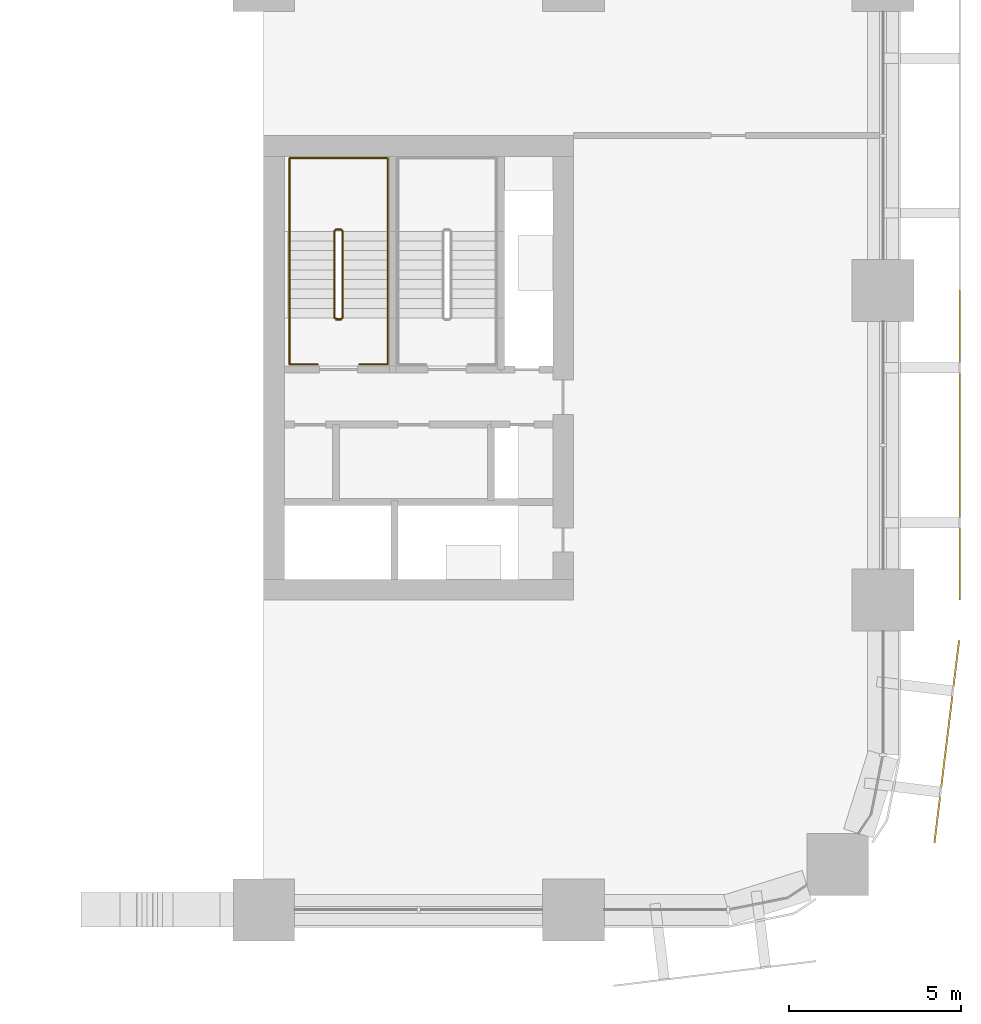
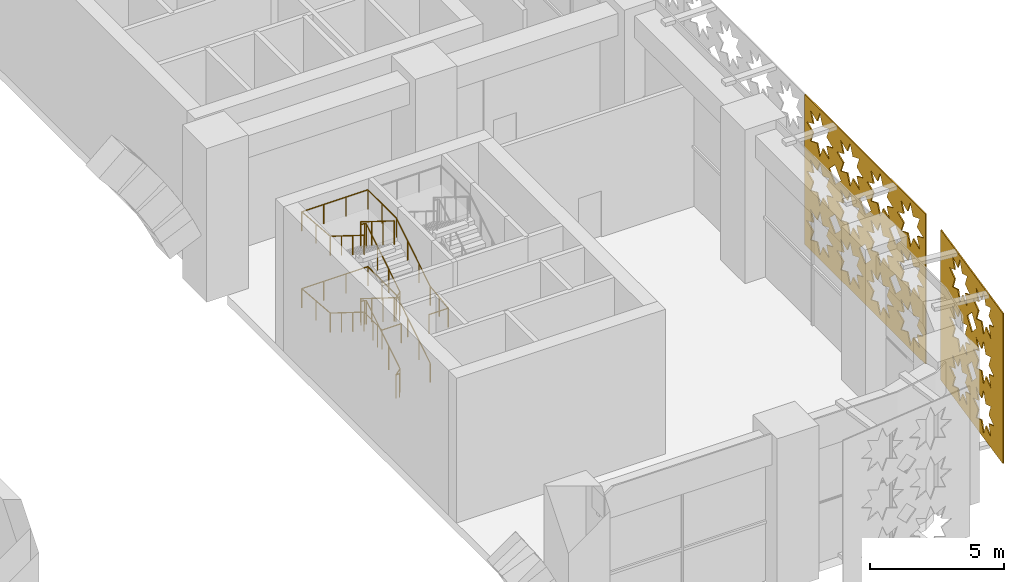
# One storey, part 35 of 42: 3 railings, 2 coverings.
"""IFC4 building model written with IfcOpenShell, lengths in metres."""

from ifc_helpers import new_model, si_unit, direction, frame, origin, origin_2d, place, context, subcontext, project, spatial, polyline, circle, outline, extrude, material, layer, layer_set, type_object, element, save


model = new_model("IFC4")

# Units and contexts
model_context = context("Model", 3, precision=1e-05, world=origin(), true_north=direction((0.0, 1.0)))
body_context = subcontext(model_context, "Body", "Model", "MODEL_VIEW")
ifc_project = project(units=[si_unit("LENGTHUNIT", "METRE"), si_unit("AREAUNIT", "SQUARE_METRE"), si_unit("VOLUMEUNIT", "CUBIC_METRE"), si_unit("PLANEANGLEUNIT", "RADIAN"), si_unit("MASSUNIT", "GRAM", prefix="KILO")], contexts=[model_context])

# Site, building, storey
site_placement = place(None, origin())
site = spatial("IfcSite", under=ifc_project, at=site_placement, CompositionType="ELEMENT")
building_placement = place(site_placement, origin())
building = spatial("IfcBuilding", under=site, at=building_placement, Name="Tessera Arch", CompositionType="ELEMENT")
storey_placement = place(building_placement, frame((0.0, 0.0, 14.0)))
storey = spatial("IfcBuildingStorey", under=building, at=storey_placement, Name="L02", CompositionType="ELEMENT", Elevation=14.0)

# Coverings
ifc_material_1 = material(Name="Anodised aluminium pale metal", Category="aluminium")
ifc_layer = layer(ifc_material_1, 0.050048828125)
ifc_layer_set = layer_set([ifc_layer], Name="Base lattice panel pale metal")
covering_type = type_object("IfcCoveringType", Name="Base lattice panel pale metal", PredefinedType="CLADDING", material=ifc_layer_set)
covering_1_placement = place(storey_placement, frame((56.199951171875, 9.0, 7.0), z_axis=(-1.0, 0.0, 0.0), x_axis=(0.0, 1.0, 0.0)))
element("IfcCovering", 1, at=covering_1_placement, inside=storey, type_object=covering_type, Name="Base lattice panel E54.0/0 L02", PredefinedType="CLADDING", context=body_context, shape_type="SweptSolid", body=[
    extrude(outline(polyline([(0.0, 0.0), (9.0, 0.0), (9.0, 6.840087890625), (0.0, 6.840087890625), (0.0, 0.0)]), holes=[polyline([(2.114990234375, 5.669921875), (1.6240234375, 5.462890625), (1.824951171875, 4.969970703125), (1.33203125, 5.1708984375), (1.125, 4.679931640625), (0.91796875, 5.1708984375), (0.425048828125, 4.969970703125), (0.6259765625, 5.462890625), (0.135009765625, 5.669921875), (0.6259765625, 5.876953125), (0.425048828125, 6.3701171875), (0.91796875, 6.1689453125), (1.125, 6.659912109375), (1.33203125, 6.1689453125), (1.824951171875, 6.3701171875), (1.6240234375, 5.876953125), (2.114990234375, 5.669921875)]), polyline([(2.114990234375, 3.419921875), (1.6240234375, 3.212890625), (1.824951171875, 2.719970703125), (1.33203125, 2.9208984375), (1.125, 2.429931640625), (0.91796875, 2.9208984375), (0.425048828125, 2.719970703125), (0.6259765625, 3.212890625), (0.135009765625, 3.419921875), (0.6259765625, 3.626953125), (0.425048828125, 4.1201171875), (0.91796875, 3.9189453125), (1.125, 4.409912109375), (1.33203125, 3.9189453125), (1.824951171875, 4.1201171875), (1.6240234375, 3.626953125), (2.114990234375, 3.419921875)]), polyline([(2.114990234375, 1.169921875), (1.6240234375, 0.962890625), (1.824951171875, 0.469970703125), (1.33203125, 0.6708984375), (1.125, 0.179931640625), (0.91796875, 0.6708984375), (0.425048828125, 0.469970703125), (0.6259765625, 0.962890625), (0.135009765625, 1.169921875), (0.6259765625, 1.376953125), (0.425048828125, 1.8701171875), (0.91796875, 1.6689453125), (1.125, 2.159912109375), (1.33203125, 1.6689453125), (1.824951171875, 1.8701171875), (1.6240234375, 1.376953125), (2.114990234375, 1.169921875)]), polyline([(4.364990234375, 5.669921875), (3.8740234375, 5.462890625), (4.074951171875, 4.969970703125), (3.58203125, 5.1708984375), (3.375, 4.679931640625), (3.16796875, 5.1708984375), (2.675048828125, 4.969970703125), (2.8759765625, 5.462890625), (2.385009765625, 5.669921875), (2.8759765625, 5.876953125), (2.675048828125, 6.3701171875), (3.16796875, 6.1689453125), (3.375, 6.659912109375), (3.58203125, 6.1689453125), (4.074951171875, 6.3701171875), (3.8740234375, 5.876953125), (4.364990234375, 5.669921875)]), polyline([(4.364990234375, 3.419921875), (3.8740234375, 3.212890625), (4.074951171875, 2.719970703125), (3.58203125, 2.9208984375), (3.375, 2.429931640625), (3.16796875, 2.9208984375), (2.675048828125, 2.719970703125), (2.8759765625, 3.212890625), (2.385009765625, 3.419921875), (2.8759765625, 3.626953125), (2.675048828125, 4.1201171875), (3.16796875, 3.9189453125), (3.375, 4.409912109375), (3.58203125, 3.9189453125), (4.074951171875, 4.1201171875), (3.8740234375, 3.626953125), (4.364990234375, 3.419921875)]), polyline([(4.364990234375, 1.169921875), (3.8740234375, 0.962890625), (4.074951171875, 0.469970703125), (3.58203125, 0.6708984375), (3.375, 0.179931640625), (3.16796875, 0.6708984375), (2.675048828125, 0.469970703125), (2.8759765625, 0.962890625), (2.385009765625, 1.169921875), (2.8759765625, 1.376953125), (2.675048828125, 1.8701171875), (3.16796875, 1.6689453125), (3.375, 2.159912109375), (3.58203125, 1.6689453125), (4.074951171875, 1.8701171875), (3.8740234375, 1.376953125), (4.364990234375, 1.169921875)]), polyline([(6.614990234375, 5.669921875), (6.1240234375, 5.462890625), (6.324951171875, 4.969970703125), (5.83203125, 5.1708984375), (5.625, 4.679931640625), (5.41796875, 5.1708984375), (4.925048828125, 4.969970703125), (5.1259765625, 5.462890625), (4.635009765625, 5.669921875), (5.1259765625, 5.876953125), (4.925048828125, 6.3701171875), (5.41796875, 6.1689453125), (5.625, 6.659912109375), (5.83203125, 6.1689453125), (6.324951171875, 6.3701171875), (6.1240234375, 5.876953125), (6.614990234375, 5.669921875)]), polyline([(6.614990234375, 3.419921875), (6.1240234375, 3.212890625), (6.324951171875, 2.719970703125), (5.83203125, 2.9208984375), (5.625, 2.429931640625), (5.41796875, 2.9208984375), (4.925048828125, 2.719970703125), (5.1259765625, 3.212890625), (4.635009765625, 3.419921875), (5.1259765625, 3.626953125), (4.925048828125, 4.1201171875), (5.41796875, 3.9189453125), (5.625, 4.409912109375), (5.83203125, 3.9189453125), (6.324951171875, 4.1201171875), (6.1240234375, 3.626953125), (6.614990234375, 3.419921875)]), polyline([(6.614990234375, 1.169921875), (6.1240234375, 0.962890625), (6.324951171875, 0.469970703125), (5.83203125, 0.6708984375), (5.625, 0.179931640625), (5.41796875, 0.6708984375), (4.925048828125, 0.469970703125), (5.1259765625, 0.962890625), (4.635009765625, 1.169921875), (5.1259765625, 1.376953125), (4.925048828125, 1.8701171875), (5.41796875, 1.6689453125), (5.625, 2.159912109375), (5.83203125, 1.6689453125), (6.324951171875, 1.8701171875), (6.1240234375, 1.376953125), (6.614990234375, 1.169921875)]), polyline([(8.864990234375, 5.669921875), (8.3740234375, 5.462890625), (8.574951171875, 4.969970703125), (8.08203125, 5.1708984375), (7.875, 4.679931640625), (7.66796875, 5.1708984375), (7.175048828125, 4.969970703125), (7.3759765625, 5.462890625), (6.885009765625, 5.669921875), (7.3759765625, 5.876953125), (7.175048828125, 6.3701171875), (7.66796875, 6.1689453125), (7.875, 6.659912109375), (8.08203125, 6.1689453125), (8.574951171875, 6.3701171875), (8.3740234375, 5.876953125), (8.864990234375, 5.669921875)]), polyline([(8.864990234375, 3.419921875), (8.3740234375, 3.212890625), (8.574951171875, 2.719970703125), (8.08203125, 2.9208984375), (7.875, 2.429931640625), (7.66796875, 2.9208984375), (7.175048828125, 2.719970703125), (7.3759765625, 3.212890625), (6.885009765625, 3.419921875), (7.3759765625, 3.626953125), (7.175048828125, 4.1201171875), (7.66796875, 3.9189453125), (7.875, 4.409912109375), (8.08203125, 3.9189453125), (8.574951171875, 4.1201171875), (8.3740234375, 3.626953125), (8.864990234375, 3.419921875)]), polyline([(8.864990234375, 1.169921875), (8.3740234375, 0.962890625), (8.574951171875, 0.469970703125), (8.08203125, 0.6708984375), (7.875, 0.179931640625), (7.66796875, 0.6708984375), (7.175048828125, 0.469970703125), (7.3759765625, 0.962890625), (6.885009765625, 1.169921875), (7.3759765625, 1.376953125), (7.175048828125, 1.8701171875), (7.66796875, 1.6689453125), (7.875, 2.159912109375), (8.08203125, 1.6689453125), (8.574951171875, 1.8701171875), (8.3740234375, 1.376953125), (8.864990234375, 1.169921875)]), polyline([(2.699951171875, 4.544921875), (2.25, 4.094970703125), (1.800048828125, 4.544921875), (2.25, 4.9951171875), (2.699951171875, 4.544921875)]), polyline([(2.699951171875, 2.294921875), (2.25, 1.844970703125), (1.800048828125, 2.294921875), (2.25, 2.7451171875), (2.699951171875, 2.294921875)]), polyline([(4.949951171875, 4.544921875), (4.5, 4.094970703125), (4.050048828125, 4.544921875), (4.5, 4.9951171875), (4.949951171875, 4.544921875)]), polyline([(4.949951171875, 2.294921875), (4.5, 1.844970703125), (4.050048828125, 2.294921875), (4.5, 2.7451171875), (4.949951171875, 2.294921875)]), polyline([(7.199951171875, 4.544921875), (6.75, 4.094970703125), (6.300048828125, 4.544921875), (6.75, 4.9951171875), (7.199951171875, 4.544921875)]), polyline([(7.199951171875, 2.294921875), (6.75, 1.844970703125), (6.300048828125, 2.294921875), (6.75, 2.7451171875), (7.199951171875, 2.294921875)])]), origin(), (0.0, 0.0, -1.0), 0.050048828125),
])
covering_2_placement = place(storey_placement, frame((55.467041015625, 1.951904296875, 7.0), z_axis=(-0.992656620686, 0.120966249049, 0.0), x_axis=(0.120966249049, 0.992656620686, 0.0)))
element("IfcCovering", 2, at=covering_2_placement, inside=storey, type_object=covering_type, Name="Base lattice panel E54.0/5 L02", PredefinedType="CLADDING", context=body_context, shape_type="SweptSolid", body=[
    extrude(outline(polyline([(0.0, 0.0), (5.925593962252626, 0.0), (5.925593962252626, 6.840087890625), (0.0, 6.840087890625), (0.0, 0.0)]), holes=[polyline([(2.8278905125881417, 5.669921875), (2.336987823767969, 5.462890625), (2.5379392602926423, 4.969970703125), (2.0440693322277617, 5.1708984375), (1.8379695261883193, 4.679931640625), (1.6308707961420916, 5.1708984375), (1.1379997920839962, 4.969970703125), (1.3389512286086689, 5.462890625), (0.84801900701285, 5.669921875), (1.3389512286086689, 5.876953125), (1.1379997920839962, 6.3701171875), (1.6308707961420916, 6.1689453125), (1.8379695261883193, 6.659912109375), (2.0440693322277617, 6.1689453125), (2.5379392602926423, 6.3701171875), (2.336987823767969, 5.876953125), (2.8278905125881417, 5.669921875)]), polyline([(2.8278905125881417, 3.419921875), (2.336987823767969, 3.212890625), (2.5379392602926423, 2.719970703125), (2.0440693322277617, 2.9208984375), (1.8379695261883193, 2.429931640625), (1.6308707961420916, 2.9208984375), (1.1379997920839962, 2.719970703125), (1.3389512286086689, 3.212890625), (0.84801900701285, 3.419921875), (1.3389512286086689, 3.626953125), (1.1379997920839962, 4.1201171875), (1.6308707961420916, 3.9189453125), (1.8379695261883193, 4.409912109375), (2.0440693322277617, 3.9189453125), (2.5379392602926423, 4.1201171875), (2.336987823767969, 3.626953125), (2.8278905125881417, 3.419921875)]), polyline([(2.8278905125881417, 1.169921875), (2.336987823767969, 0.962890625), (2.5379392602926423, 0.469970703125), (2.0440693322277617, 0.6708984375), (1.8379695261883193, 0.179931640625), (1.6308707961420916, 0.6708984375), (1.1379997920839962, 0.469970703125), (1.3389512286086689, 0.962890625), (0.84801900701285, 1.169921875), (1.3389512286086689, 1.376953125), (1.1379997920839962, 1.8701171875), (1.6308707961420916, 1.6689453125), (1.8379695261883193, 2.159912109375), (2.0440693322277617, 1.6689453125), (2.5379392602926423, 1.8701171875), (2.336987823767969, 1.376953125), (2.8278905125881417, 1.169921875)]), polyline([(5.078059650855345, 5.669921875), (4.586914614227389, 5.462890625), (4.788108398559846, 4.969970703125), (4.293996122687181, 5.1708984375), (4.088138664455523, 4.679931640625), (3.8810399344092956, 5.1708984375), (3.3879265825434155, 4.969970703125), (3.5890908341002263, 5.462890625), (3.0979457974722693, 5.669921875), (3.5890908341002263, 5.876953125), (3.3879265825434155, 6.3701171875), (3.8810399344092956, 6.1689453125), (4.088138664455523, 6.659912109375), (4.293996122687181, 6.1689453125), (4.788108398559846, 6.3701171875), (4.586914614227389, 5.876953125), (5.078059650855345, 5.669921875)]), polyline([(5.078059650855345, 3.419921875), (4.586914614227389, 3.212890625), (4.788108398559846, 2.719970703125), (4.293996122687181, 2.9208984375), (4.088138664455523, 2.429931640625), (3.8810399344092956, 2.9208984375), (3.3879265825434155, 2.719970703125), (3.5890908341002263, 3.212890625), (3.0979457974722693, 3.419921875), (3.5890908341002263, 3.626953125), (3.3879265825434155, 4.1201171875), (3.8810399344092956, 3.9189453125), (4.088138664455523, 4.409912109375), (4.293996122687181, 3.9189453125), (4.788108398559846, 4.1201171875), (4.586914614227389, 3.626953125), (5.078059650855345, 3.419921875)]), polyline([(5.078059650855345, 1.169921875), (4.586914614227389, 0.962890625), (4.788108398559846, 0.469970703125), (4.293996122687181, 0.6708984375), (4.088138664455523, 0.179931640625), (3.8810399344092956, 0.6708984375), (3.3879265825434155, 0.469970703125), (3.5890908341002263, 0.962890625), (3.0979457974722693, 1.169921875), (3.5890908341002263, 1.376953125), (3.3879265825434155, 1.8701171875), (3.8810399344092956, 1.6689453125), (4.088138664455523, 2.159912109375), (4.293996122687181, 1.6689453125), (4.788108398559846, 1.8701171875), (4.586914614227389, 1.376953125), (5.078059650855345, 1.169921875)]), polyline([(3.4130004522452033, 4.544921875), (2.96316050283799, 4.094970703125), (2.5130782056229926, 4.544921875), (2.96316050283799, 4.9951171875), (3.4130004522452033, 4.544921875)]), polyline([(3.4130004522452033, 2.294921875), (2.96316050283799, 1.844970703125), (2.5130782056229926, 2.294921875), (2.96316050283799, 2.7451171875), (3.4130004522452033, 2.294921875)])]), origin(), (0.0, 0.0, -1.0), 0.050048828125),
])

# Railings
ifc_material_2 = material(Name="Painted steel balustrade", Category="steel")
railing_type_1 = type_object("IfcRailingType", Name="Stair guard 1100", PredefinedType="GUARDRAIL", material=ifc_material_2)
railing_1_placement = place(storey_placement, frame((38.25, 17.14990234375, 0.0)))
element("IfcRailing", 3, at=railing_1_placement, inside=storey, type_object=railing_type_1, Name="L02 S3a stair guard 1", PredefinedType="GUARDRAIL", context=body_context, shape_type="SweptSolid", body=[
    extrude(circle(Radius=0.02392578125, at=origin_2d()), frame((0.00390625, 0.0, 1.076171875), z_axis=(-1.0, 0.0, 0.0), x_axis=(0.0, -1.0, 0.0)), (0.0, 0.0, 1.0), 0.157958984375),
    extrude(circle(Radius=0.02392578125, at=origin_2d()), frame((-0.15283203125, -0.000732421875, 1.073486328125), z_axis=(0.739407315901, 0.185077533284, 0.647319957877), x_axis=(-0.242814311512, 0.970072785993, 0.0)), (0.0, 0.0, 1.0), 0.2783203125),
    extrude(circle(Radius=0.02392578125, at=origin_2d()), frame((0.050048828125, 0.046630859375, 1.2490234375), z_axis=(0.0, 0.848007534815, 0.529984170421), x_axis=(-1.0, 0.0, 0.0)), (0.0, 0.0, 1.0), 2.979736328125),
    extrude(circle(Radius=0.02392578125, at=origin_2d()), frame((0.052978515625, 2.567138671875, 2.826171875), z_axis=(-0.707106781187, 0.707106781187, 0.0), x_axis=(-0.707106781187, -0.707106781187, 0.0)), (0.0, 0.0, 1.0), 0.078857421875),
    extrude(circle(Radius=0.02392578125, at=origin_2d()), frame((0.00390625, 2.6201171875, 2.826171875), z_axis=(-1.0, 0.0, 0.0), x_axis=(0.0, -1.0, 0.0)), (0.0, 0.0, 1.0), 0.157958984375),
    extrude(circle(Radius=0.02392578125, at=origin_2d()), frame((-0.14892578125, 2.62109375, 2.822265625), z_axis=(-0.265065253269, -0.265065253269, 0.927081885822), x_axis=(0.707106781187, -0.707106781187, 0.0)), (0.0, 0.0, 1.0), 0.19677734375),
    extrude(circle(Radius=0.02392578125, at=origin_2d()), frame((-0.199951171875, 2.573486328125, 2.9990234375), z_axis=(0.0, -0.848007534815, 0.529984170421), x_axis=(1.0, 0.0, 0.0)), (0.0, 0.0, 1.0), 2.979736328125),
    extrude(circle(Radius=0.02392578125, at=origin_2d()), frame((-0.203857421875, 0.051025390625, 4.576171875), z_axis=(0.970072785993, -0.242814311512, 0.0), x_axis=(0.242814311512, 0.970072785993, 0.0)), (0.0, 0.0, 1.0), 0.214111328125),
    extrude(circle(Radius=0.02392578125, at=origin_2d()), frame((0.00390625, 0.0, 4.576171875), z_axis=(-1.0, 0.0, 0.0), x_axis=(0.0, -1.0, 0.0)), (0.0, 0.0, 1.0), 0.157958984375),
    extrude(circle(Radius=0.02392578125, at=origin_2d()), frame((-0.15283203125, -0.000732421875, 4.573486328125), z_axis=(0.739407315901, 0.185077533284, 0.647319957877), x_axis=(-0.242814311512, 0.970072785993, 0.0)), (0.0, 0.0, 1.0), 0.2783203125),
    extrude(circle(Radius=0.02392578125, at=origin_2d()), frame((0.050048828125, 0.046630859375, 4.7490234375), z_axis=(0.0, 0.848007534815, 0.529984170421), x_axis=(-1.0, 0.0, 0.0)), (0.0, 0.0, 1.0), 2.979736328125),
    extrude(circle(Radius=0.02392578125, at=origin_2d()), frame((0.052978515625, 2.567138671875, 6.326171875), z_axis=(-0.707106781187, 0.707106781187, 0.0), x_axis=(-0.707106781187, -0.707106781187, 0.0)), (0.0, 0.0, 1.0), 0.078857421875),
    extrude(circle(Radius=0.02392578125, at=origin_2d()), frame((0.00390625, 2.6201171875, 6.326171875), z_axis=(-1.0, 0.0, 0.0), x_axis=(0.0, -1.0, 0.0)), (0.0, 0.0, 1.0), 0.157958984375),
    extrude(circle(Radius=0.02392578125, at=origin_2d()), frame((-0.14892578125, 2.62109375, 6.322265625), z_axis=(-0.265065253269, -0.265065253269, 0.927081885822), x_axis=(0.707106781187, -0.707106781187, 0.0)), (0.0, 0.0, 1.0), 0.19677734375),
    extrude(circle(Radius=0.02392578125, at=origin_2d()), frame((-0.199951171875, 2.573486328125, 6.4990234375), z_axis=(0.0, -0.848007534815, 0.529984170421), x_axis=(1.0, 0.0, 0.0)), (0.0, 0.0, 1.0), 2.979736328125),
    extrude(circle(Radius=0.02099609375, at=origin_2d()), origin(), (0.0, 0.0, 1.0), 1.06396484375),
    extrude(circle(Radius=0.02099609375, at=origin_2d()), frame((-0.14990234375, 0.0, 0.0)), (0.0, 0.0, 1.0), 1.06396484375),
    extrude(circle(Radius=0.02099609375, at=origin_2d()), frame((0.050048828125, 0.050048828125, 0.175048828125)), (0.0, 0.0, 1.0), 1.06396484375),
    extrude(circle(Radius=0.02099609375, at=origin_2d()), frame((0.050048828125, 0.89013671875, 0.699951171875)), (0.0, 0.0, 1.0), 1.06396484375),
    extrude(circle(Radius=0.02099609375, at=origin_2d()), frame((0.050048828125, 1.72998046875, 1.22509765625)), (0.0, 0.0, 1.0), 1.06396484375),
    extrude(circle(Radius=0.02099609375, at=origin_2d()), frame((0.050048828125, 2.570068359375, 1.75)), (0.0, 0.0, 1.0), 1.06396484375),
    extrude(circle(Radius=0.02099609375, at=origin_2d()), frame((0.0, 2.6201171875, 1.75)), (0.0, 0.0, 1.0), 1.06396484375),
    extrude(circle(Radius=0.02099609375, at=origin_2d()), frame((-0.14990234375, 2.6201171875, 1.75)), (0.0, 0.0, 1.0), 1.06396484375),
    extrude(circle(Radius=0.02099609375, at=origin_2d()), frame((-0.199951171875, 2.570068359375, 1.925048828125)), (0.0, 0.0, 1.0), 1.06396484375),
    extrude(circle(Radius=0.02099609375, at=origin_2d()), frame((-0.199951171875, 1.72998046875, 2.449951171875)), (0.0, 0.0, 1.0), 1.06396484375),
    extrude(circle(Radius=0.02099609375, at=origin_2d()), frame((-0.199951171875, 0.89013671875, 2.97509765625)), (0.0, 0.0, 1.0), 1.06396484375),
    extrude(circle(Radius=0.02099609375, at=origin_2d()), frame((-0.199951171875, 0.050048828125, 3.5)), (0.0, 0.0, 1.0), 1.06396484375),
    extrude(circle(Radius=0.02099609375, at=origin_2d()), frame((0.0, 0.0, 3.5)), (0.0, 0.0, 1.0), 1.06396484375),
    extrude(circle(Radius=0.02099609375, at=origin_2d()), frame((-0.14990234375, 0.0, 3.5)), (0.0, 0.0, 1.0), 1.06396484375),
    extrude(circle(Radius=0.02099609375, at=origin_2d()), frame((0.050048828125, 0.050048828125, 3.675048828125)), (0.0, 0.0, 1.0), 1.06396484375),
    extrude(circle(Radius=0.02099609375, at=origin_2d()), frame((0.050048828125, 0.89013671875, 4.199951171875)), (0.0, 0.0, 1.0), 1.06396484375),
    extrude(circle(Radius=0.02099609375, at=origin_2d()), frame((0.050048828125, 1.72998046875, 4.72509765625)), (0.0, 0.0, 1.0), 1.06396484375),
    extrude(circle(Radius=0.02099609375, at=origin_2d()), frame((0.050048828125, 2.570068359375, 5.25)), (0.0, 0.0, 1.0), 1.06396484375),
    extrude(circle(Radius=0.02099609375, at=origin_2d()), frame((0.0, 2.6201171875, 5.25)), (0.0, 0.0, 1.0), 1.06396484375),
    extrude(circle(Radius=0.02099609375, at=origin_2d()), frame((-0.14990234375, 2.6201171875, 5.25)), (0.0, 0.0, 1.0), 1.06396484375),
    extrude(circle(Radius=0.02099609375, at=origin_2d()), frame((-0.199951171875, 2.570068359375, 5.425048828125)), (0.0, 0.0, 1.0), 1.06396484375),
    extrude(circle(Radius=0.02099609375, at=origin_2d()), frame((-0.199951171875, 1.72998046875, 5.949951171875)), (0.0, 0.0, 1.0), 1.06396484375),
    extrude(circle(Radius=0.02099609375, at=origin_2d()), frame((-0.199951171875, 0.89013671875, 6.47509765625)), (0.0, 0.0, 1.0), 1.06396484375),
    extrude(circle(Radius=0.02099609375, at=origin_2d()), frame((-0.199951171875, 0.050048828125, 7.0)), (0.0, 0.0, 1.0), 1.06396484375),
])
ifc_material_3 = material(Name="Painted steel handrail", Category="steel")
railing_type_2 = type_object("IfcRailingType", Name="Stair handrail 900", PredefinedType="HANDRAIL", material=ifc_material_3)
railing_2_placement = place(storey_placement, frame((39.60009765625, 17.199951171875, 0.175048828125)))
element("IfcRailing", 4, at=railing_2_placement, inside=storey, type_object=railing_type_2, Name="L02 S3a stair handrail", PredefinedType="HANDRAIL", context=body_context, shape_type="SweptSolid", body=[
    extrude(circle(Radius=0.02392578125, at=origin_2d()), frame((0.0, -0.00341796875, 0.873779296875), z_axis=(0.0, 0.848007534815, 0.529984170421), x_axis=(-1.0, 0.0, 0.0)), (0.0, 0.0, 1.0), 2.979736328125),
    extrude(circle(Radius=0.02392578125, at=origin_2d()), frame((0.0, 2.51611328125, 2.45068359375), z_axis=(0.0, 1.0, 0.0), x_axis=(-1.0, 0.0, 0.0)), (0.0, 0.0, 1.0), 2.13818359375),
    extrude(circle(Radius=0.02392578125, at=origin_2d()), frame((0.00390625, 4.650146484375, 2.45068359375), z_axis=(-1.0, 0.0, 0.0), x_axis=(0.0, -1.0, 0.0)), (0.0, 0.0, 1.0), 2.858154296875),
    extrude(circle(Radius=0.02392578125, at=origin_2d()), frame((-2.85009765625, 4.654052734375, 2.450439453125), z_axis=(0.0, -0.996640423177, 0.0819015683), x_axis=(1.0, 0.0, 0.0)), (0.0, 0.0, 1.0), 2.145263671875),
    extrude(circle(Radius=0.02392578125, at=origin_2d()), frame((-2.85009765625, 2.5234375, 2.623779296875), z_axis=(0.0, -0.848007534815, 0.529984170421), x_axis=(1.0, 0.0, 0.0)), (0.0, 0.0, 1.0), 2.979736328125),
    extrude(circle(Radius=0.02392578125, at=origin_2d()), frame((-2.85009765625, 0.00390625, 4.20068359375), z_axis=(0.0, -1.0, 0.0), x_axis=(1.0, 0.0, 0.0)), (0.0, 0.0, 1.0), 1.35791015625),
    extrude(circle(Radius=0.02392578125, at=origin_2d()), frame((-2.85400390625, -1.349853515625, 4.20068359375), z_axis=(1.0, 0.0, 0.0), x_axis=(0.0, 1.0, 0.0)), (0.0, 0.0, 1.0), 0.8330078125),
    extrude(circle(Radius=0.02099609375, at=origin_2d()), origin(), (0.0, 0.0, 1.0), 0.86376953125),
    extrude(circle(Radius=0.02099609375, at=origin_2d()), frame((0.0, 0.840087890625, 0.52490234375)), (0.0, 0.0, 1.0), 0.86376953125),
    extrude(circle(Radius=0.02099609375, at=origin_2d()), frame((0.0, 1.679931640625, 1.050048828125)), (0.0, 0.0, 1.0), 0.86376953125),
    extrude(circle(Radius=0.02099609375, at=origin_2d()), frame((0.0, 2.52001953125, 1.574951171875)), (0.0, 0.0, 1.0), 0.86376953125),
    extrude(circle(Radius=0.02099609375, at=origin_2d()), frame((0.0, 3.5849609375, 1.574951171875)), (0.0, 0.0, 1.0), 0.86376953125),
    extrude(circle(Radius=0.02099609375, at=origin_2d()), frame((0.0, 4.650146484375, 1.574951171875)), (0.0, 0.0, 1.0), 0.86376953125),
    extrude(circle(Radius=0.02099609375, at=origin_2d()), frame((-0.949951171875, 4.650146484375, 1.574951171875)), (0.0, 0.0, 1.0), 0.86376953125),
    extrude(circle(Radius=0.02099609375, at=origin_2d()), frame((-1.900146484375, 4.650146484375, 1.574951171875)), (0.0, 0.0, 1.0), 0.86376953125),
    extrude(circle(Radius=0.02099609375, at=origin_2d()), frame((-2.85009765625, 4.650146484375, 1.574951171875)), (0.0, 0.0, 1.0), 0.86376953125),
    extrude(circle(Radius=0.02099609375, at=origin_2d()), frame((-2.85009765625, 3.5849609375, 1.66259765625)), (0.0, 0.0, 1.0), 0.86376953125),
    extrude(circle(Radius=0.02099609375, at=origin_2d()), frame((-2.85009765625, 2.52001953125, 1.75)), (0.0, 0.0, 1.0), 0.86376953125),
    extrude(circle(Radius=0.02099609375, at=origin_2d()), frame((-2.85009765625, 1.679931640625, 2.27490234375)), (0.0, 0.0, 1.0), 0.86376953125),
    extrude(circle(Radius=0.02099609375, at=origin_2d()), frame((-2.85009765625, 0.840087890625, 2.800048828125)), (0.0, 0.0, 1.0), 0.86376953125),
    extrude(circle(Radius=0.02099609375, at=origin_2d()), frame((-2.85009765625, 0.0, 3.324951171875)), (0.0, 0.0, 1.0), 0.86376953125),
    extrude(circle(Radius=0.02099609375, at=origin_2d()), frame((-2.85009765625, -0.6748046875, 3.324951171875)), (0.0, 0.0, 1.0), 0.86376953125),
    extrude(circle(Radius=0.02099609375, at=origin_2d()), frame((-2.85009765625, -1.349853515625, 3.324951171875)), (0.0, 0.0, 1.0), 0.86376953125),
    extrude(circle(Radius=0.02099609375, at=origin_2d()), frame((-2.025146484375, -1.349853515625, 3.324951171875)), (0.0, 0.0, 1.0), 0.86376953125),
])
railing_3_placement = place(storey_placement, frame((38.77490234375, 15.85009765625, 3.5)))
element("IfcRailing", 5, at=railing_3_placement, inside=storey, type_object=railing_type_2, Name="L02 S3a stair handrail 2", PredefinedType="HANDRAIL", context=body_context, shape_type="SweptSolid", body=[
    extrude(circle(Radius=0.02392578125, at=origin_2d()), frame((-0.00390625, 0.0, 0.8759765625), z_axis=(1.0, 0.0, 0.0), x_axis=(0.0, 1.0, 0.0)), (0.0, 0.0, 1.0), 0.833251953125),
    extrude(circle(Radius=0.02392578125, at=origin_2d()), frame((0.8251953125, -0.00390625, 0.875244140625), z_axis=(0.0, 0.991696153654, 0.128603028065), x_axis=(-1.0, 0.0, 0.0)), (0.0, 0.0, 1.0), 1.369140625),
    extrude(circle(Radius=0.02392578125, at=origin_2d()), frame((0.8251953125, 1.346435546875, 1.048828125), z_axis=(0.0, 0.848007534815, 0.529984170421), x_axis=(-1.0, 0.0, 0.0)), (0.0, 0.0, 1.0), 2.979736328125),
    extrude(circle(Radius=0.02392578125, at=origin_2d()), frame((0.8251953125, 3.865966796875, 2.6259765625), z_axis=(0.0, 1.0, 0.0), x_axis=(-1.0, 0.0, 0.0)), (0.0, 0.0, 1.0), 2.13818359375),
    extrude(circle(Radius=0.02392578125, at=origin_2d()), frame((0.8291015625, 6.0, 2.6259765625), z_axis=(-1.0, 0.0, 0.0), x_axis=(0.0, -1.0, 0.0)), (0.0, 0.0, 1.0), 2.858154296875),
    extrude(circle(Radius=0.02392578125, at=origin_2d()), frame((-2.02490234375, 6.00390625, 2.62548828125), z_axis=(0.0, -0.996640423177, 0.0819015683), x_axis=(1.0, 0.0, 0.0)), (0.0, 0.0, 1.0), 2.145263671875),
    extrude(circle(Radius=0.02392578125, at=origin_2d()), frame((-2.02490234375, 3.873291015625, 2.798828125), z_axis=(0.0, -0.848007534815, 0.529984170421), x_axis=(1.0, 0.0, 0.0)), (0.0, 0.0, 1.0), 2.979736328125),
    extrude(circle(Radius=0.02099609375, at=origin_2d()), origin(), (0.0, 0.0, 1.0), 0.86376953125),
    extrude(circle(Radius=0.02099609375, at=origin_2d()), frame((0.8251953125, 0.0, 0.0)), (0.0, 0.0, 1.0), 0.86376953125),
    extrude(circle(Radius=0.02099609375, at=origin_2d()), frame((0.8251953125, 0.6748046875, 0.08740234375)), (0.0, 0.0, 1.0), 0.86376953125),
    extrude(circle(Radius=0.02099609375, at=origin_2d()), frame((0.8251953125, 1.349853515625, 0.175048828125)), (0.0, 0.0, 1.0), 0.86376953125),
    extrude(circle(Radius=0.02099609375, at=origin_2d()), frame((0.8251953125, 2.18994140625, 0.699951171875)), (0.0, 0.0, 1.0), 0.86376953125),
    extrude(circle(Radius=0.02099609375, at=origin_2d()), frame((0.8251953125, 3.02978515625, 1.22509765625)), (0.0, 0.0, 1.0), 0.86376953125),
    extrude(circle(Radius=0.02099609375, at=origin_2d()), frame((0.8251953125, 3.869873046875, 1.75)), (0.0, 0.0, 1.0), 0.86376953125),
    extrude(circle(Radius=0.02099609375, at=origin_2d()), frame((0.8251953125, 4.93505859375, 1.75)), (0.0, 0.0, 1.0), 0.86376953125),
    extrude(circle(Radius=0.02099609375, at=origin_2d()), frame((0.8251953125, 6.0, 1.75)), (0.0, 0.0, 1.0), 0.86376953125),
    extrude(circle(Radius=0.02099609375, at=origin_2d()), frame((-0.124755859375, 6.0, 1.75)), (0.0, 0.0, 1.0), 0.86376953125),
    extrude(circle(Radius=0.02099609375, at=origin_2d()), frame((-1.074951171875, 6.0, 1.75)), (0.0, 0.0, 1.0), 0.86376953125),
    extrude(circle(Radius=0.02099609375, at=origin_2d()), frame((-2.02490234375, 6.0, 1.75)), (0.0, 0.0, 1.0), 0.86376953125),
    extrude(circle(Radius=0.02099609375, at=origin_2d()), frame((-2.02490234375, 4.93505859375, 1.83740234375)), (0.0, 0.0, 1.0), 0.86376953125),
    extrude(circle(Radius=0.02099609375, at=origin_2d()), frame((-2.02490234375, 3.869873046875, 1.925048828125)), (0.0, 0.0, 1.0), 0.86376953125),
    extrude(circle(Radius=0.02099609375, at=origin_2d()), frame((-2.02490234375, 3.02978515625, 2.449951171875)), (0.0, 0.0, 1.0), 0.86376953125),
    extrude(circle(Radius=0.02099609375, at=origin_2d()), frame((-2.02490234375, 2.18994140625, 2.97509765625)), (0.0, 0.0, 1.0), 0.86376953125),
    extrude(circle(Radius=0.02099609375, at=origin_2d()), frame((-2.02490234375, 1.349853515625, 3.5)), (0.0, 0.0, 1.0), 0.86376953125),
])

save(model, "model.ifc")
